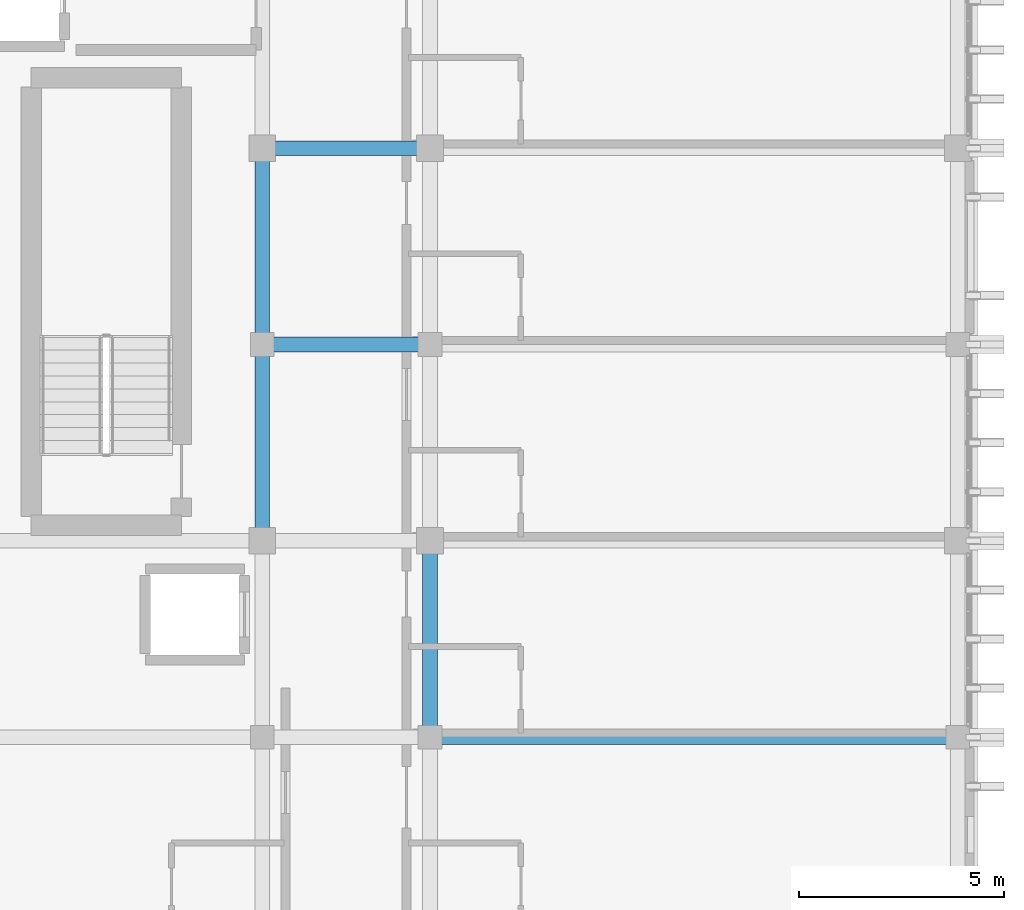
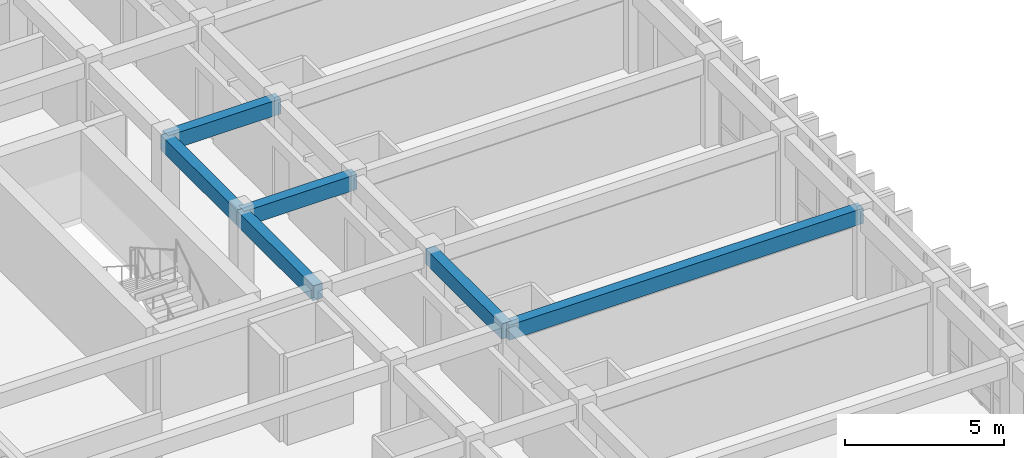
# One storey, part 12 of 49: 6 beams.
"""IFC4 building model written with IfcOpenShell, lengths in metres."""

from ifc_helpers import new_model, si_unit, direction, frame, origin, origin_2d, place, context, subcontext, project, spatial, rectangle, extrude, material, material_profile, profile_set, type_object, element, save


model = new_model("IFC4")

# Units and contexts
model_context = context("Model", 3, precision=1e-05, world=origin(), true_north=direction((0.0, 1.0)))
body_context = subcontext(model_context, "Body", "Model", "MODEL_VIEW")
ifc_project = project(units=[si_unit("LENGTHUNIT", "METRE"), si_unit("AREAUNIT", "SQUARE_METRE"), si_unit("VOLUMEUNIT", "CUBIC_METRE"), si_unit("PLANEANGLEUNIT", "RADIAN"), si_unit("MASSUNIT", "GRAM", prefix="KILO")], contexts=[model_context])

# Site, building, storey
site_placement = place(None, origin())
site = spatial("IfcSite", under=ifc_project, at=site_placement, CompositionType="ELEMENT")
building_placement = place(site_placement, origin())
building = spatial("IfcBuilding", under=site, at=building_placement, Name="Nakhvara Creek Congress Hotel", CompositionType="ELEMENT")
storey_placement = place(building_placement, frame((0.0, 0.0, 39.0)))
storey = spatial("IfcBuildingStorey", under=building, at=storey_placement, Name="L09", CompositionType="ELEMENT", Elevation=39.0)

# Beams
ifc_material = material(Name="Concrete C40/50", Category="concrete")
ifc_material_profile = material_profile(ifc_material, rectangle(XDim=0.360107421875, YDim=0.580078125, at=origin_2d()), Name="RC-BM 360x580", Category="LoadBearing")
ifc_profile_set = profile_set([ifc_material_profile], Name="Concrete C40/50")
beam_type = type_object("IfcBeamType", Name="BM-RC-360X580", PredefinedType="BEAM", material=ifc_profile_set)
beam_1_placement = place(storey_placement, frame((162.35009765625, 76.800048828125, 3.070068359375), z_axis=(0.0, 1.0, 0.0), x_axis=(-1.0, 0.0, 0.0)))
element("IfcBeam", 1, at=beam_1_placement, inside=storey, type_object=beam_type, Name="Beam B09-L09-2560", PredefinedType="BEAM", context=body_context, shape_type="SweptSolid", body=[
    extrude(rectangle(XDim=0.360107421875, YDim=0.580078125, at=origin_2d()), origin(), (0.0, 0.0, 1.0), 4.800048828125),
])
beam_2_placement = place(storey_placement, frame((162.35009765625, 86.39990234375, 3.070068359375), z_axis=(1.0, 0.0, 0.0), x_axis=(0.0, 1.0, 0.0)))
element("IfcBeam", 2, at=beam_2_placement, inside=storey, type_object=beam_type, Name="Beam B09-L09-2561", PredefinedType="BEAM", context=body_context, shape_type="SweptSolid", body=[
    extrude(rectangle(XDim=0.360107421875, YDim=0.580078125, at=origin_2d()), origin(), (0.0, 0.0, 1.0), 4.099853515625),
])
beam_3_placement = place(storey_placement, frame((162.35009765625, 81.60009765625, 3.070068359375), z_axis=(0.0, 1.0, 0.0), x_axis=(-1.0, 0.0, 0.0)))
element("IfcBeam", 3, at=beam_3_placement, inside=storey, type_object=beam_type, Name="Beam B09-L09-2562", PredefinedType="BEAM", context=body_context, shape_type="SweptSolid", body=[
    extrude(rectangle(XDim=0.360107421875, YDim=0.580078125, at=origin_2d()), origin(), (0.0, 0.0, 1.0), 4.7998046875),
])
beam_4_placement = place(storey_placement, frame((166.449951171875, 72.0, 3.070068359375), z_axis=(0.0, 1.0, 0.0), x_axis=(-1.0, 0.0, 0.0)))
element("IfcBeam", 4, at=beam_4_placement, inside=storey, type_object=beam_type, Name="Beam B09-L09-2581", PredefinedType="BEAM", context=body_context, shape_type="SweptSolid", body=[
    extrude(rectangle(XDim=0.360107421875, YDim=0.580078125, at=origin_2d()), origin(), (0.0, 0.0, 1.0), 4.800048828125),
])
beam_5_placement = place(storey_placement, frame((162.35009765625, 81.60009765625, 3.070068359375), z_axis=(1.0, 0.0, 0.0), x_axis=(0.0, 1.0, 0.0)))
element("IfcBeam", 5, at=beam_5_placement, inside=storey, type_object=beam_type, Name="Beam B09-L09-2618", PredefinedType="BEAM", context=body_context, shape_type="SweptSolid", body=[
    extrude(rectangle(XDim=0.360107421875, YDim=0.580078125, at=origin_2d()), origin(), (0.0, 0.0, 1.0), 4.099853515625),
])
beam_6_placement = place(storey_placement, frame((166.449951171875, 72.0, 3.070068359375), z_axis=(1.0, 0.0, 0.0), x_axis=(0.0, 1.0, 0.0)))
element("IfcBeam", 6, at=beam_6_placement, inside=storey, type_object=beam_type, Name="Beam B09-L09-2624", PredefinedType="BEAM", context=body_context, shape_type="SweptSolid", body=[
    extrude(rectangle(XDim=0.360107421875, YDim=0.580078125, at=origin_2d()), origin(), (0.0, 0.0, 1.0), 12.900146484375),
])

save(model, "model.ifc")
